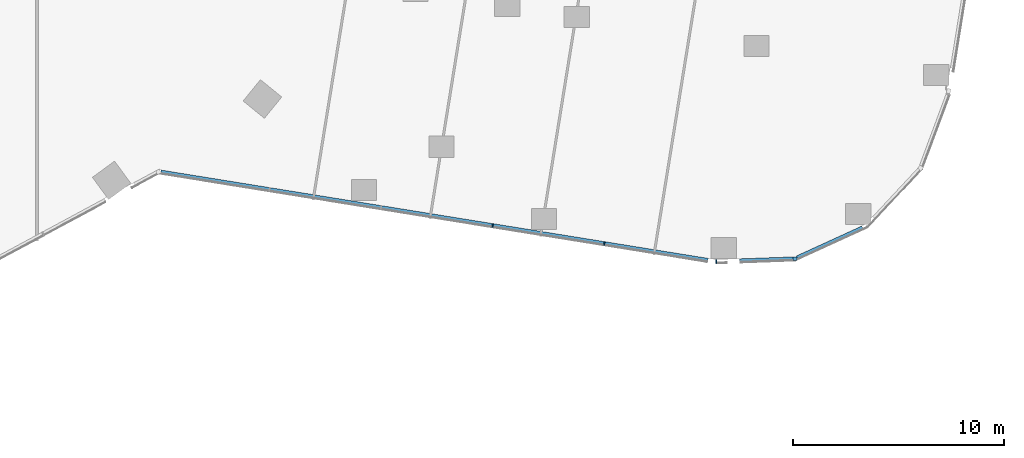
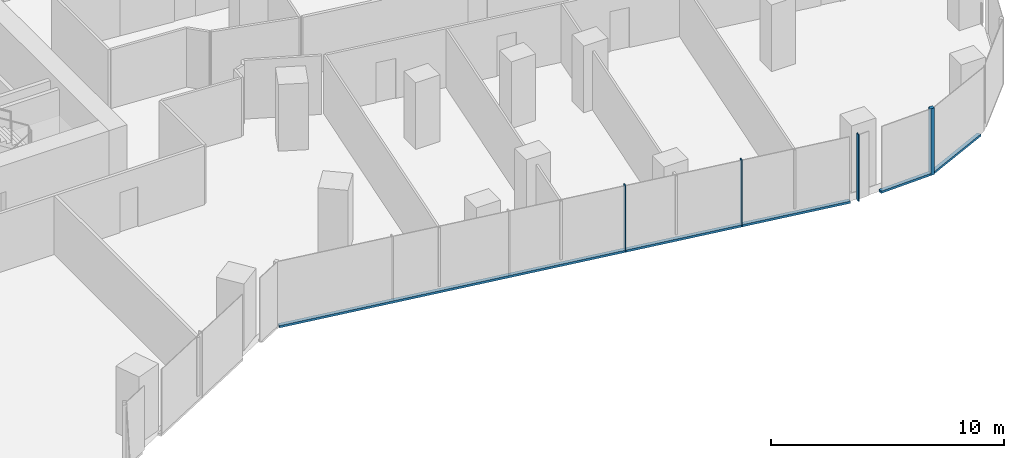
# One storey, part 9 of 34: 7 members, 3 elements without a shape of their own.
"""IFC4 building model written with IfcOpenShell, lengths in metres."""

from ifc_helpers import new_model, si_unit, direction, frame, origin, origin_2d, place, context, subcontext, project, spatial, rectangle, extrude, material, material_profile, profile_set, type_object, element, aggregate, save


model = new_model("IFC4")

# Units and contexts
model_context = context("Model", 3, precision=1e-05, world=origin(), true_north=direction((0.0, 1.0)))
body_context = subcontext(model_context, "Body", "Model", "MODEL_VIEW")
ifc_project = project(units=[si_unit("LENGTHUNIT", "METRE"), si_unit("AREAUNIT", "SQUARE_METRE"), si_unit("VOLUMEUNIT", "CUBIC_METRE"), si_unit("PLANEANGLEUNIT", "RADIAN"), si_unit("MASSUNIT", "GRAM", prefix="KILO")], contexts=[model_context])

# Site, building, storey
site_placement = place(None, origin())
site = spatial("IfcSite", under=ifc_project, at=site_placement, CompositionType="ELEMENT")
building_placement = place(site_placement, origin())
building = spatial("IfcBuilding", under=site, at=building_placement, Name="Orlundy Tower", CompositionType="ELEMENT")
storey_placement = place(building_placement, frame((0.0, 0.0, 130.699951171875)))
storey = spatial("IfcBuildingStorey", under=building, at=storey_placement, Name="L33", CompositionType="ELEMENT", Elevation=130.699951171875)

# Curtain wall, member
ifc_material_1 = material(Name="Aluminium bronze anodised", Category="aluminium")
curtain_wall_type = type_object("IfcCurtainWallType", Name="CW1 wall", PredefinedType="NOTDEFINED", material=ifc_material_1)
curtain_wall_1_placement = place(storey_placement, origin())
curtain_wall_1 = element("IfcCurtainWall", 1, at=curtain_wall_1_placement, inside=storey, type_object=curtain_wall_type, Name="CW1 run 015", PredefinedType="NOTDEFINED")
ifc_material_2 = material(Name="Aluminium bronze anodised", Category="aluminium")
ifc_material_profile_1 = material_profile(ifc_material_2, rectangle(XDim=0.179931640625, YDim=0.179931640625, at=origin_2d()), Name="CW1 corner post 180x180")
ifc_profile_set_1 = profile_set([ifc_material_profile_1], Name="Aluminium bronze anodised")
member_type_1 = type_object("IfcMemberType", Name="CW1 corner post 180x180", PredefinedType="MULLION", material=ifc_profile_set_1)
member_1_placement = place(storey_placement, frame((49.901123046875, -27.664306640625, -0.39990234375), z_axis=(0.0, 0.0, 1.0), x_axis=(0.036413082656, -0.999336823804, 0.0)))
member_1 = element("IfcMember", 2, at=member_1_placement, type_object=member_type_1, Name="CW1 mullion 43", PredefinedType="MULLION", context=body_context, shape_type="SweptSolid", body=[
    extrude(rectangle(XDim=0.179931640625, YDim=0.179931640625, at=origin_2d()), origin(), (0.0, 0.0, 1.0), 3.5),
])

# Curtain wall, members
curtain_wall_2_placement = place(storey_placement, origin())
curtain_wall_2 = element("IfcCurtainWall", 3, at=curtain_wall_2_placement, inside=storey, type_object=curtain_wall_type, Name="CW1 run 016", PredefinedType="NOTDEFINED")
ifc_material_3 = material(Name="Aluminium bronze anodised", Category="aluminium")
ifc_material_profile_2 = material_profile(ifc_material_3, rectangle(XDim=0.179931640625, YDim=0.050048828125, at=origin_2d()), Name="CW1 mullion 50x180")
ifc_profile_set_2 = profile_set([ifc_material_profile_2], Name="Aluminium bronze anodised")
member_type_2 = type_object("IfcMemberType", Name="CW1 mullion 50x180", PredefinedType="MULLION", material=ifc_profile_set_2)
member_2_placement = place(storey_placement, frame((46.16943359375, -27.80029296875, -0.39990234375), z_axis=(0.0, 0.0, 1.0), x_axis=(-0.061746522644, -0.998091862977, 0.0)))
member_2 = element("IfcMember", 4, at=member_2_placement, type_object=member_type_2, Name="CW1 mullion 44", PredefinedType="MULLION", context=body_context, shape_type="SweptSolid", body=[
    extrude(rectangle(XDim=0.179931640625, YDim=0.050048828125, at=origin_2d()), origin(), (0.0, 0.0, 1.0), 3.5),
])
member_3_placement = place(storey_placement, frame((40.872314453125, -26.945556640625, -0.39990234375), z_axis=(0.0, 0.0, 1.0), x_axis=(-0.159311085453, -0.987228432558, 0.0)))
member_3 = element("IfcMember", 5, at=member_3_placement, type_object=member_type_2, Name="CW1 mullion 45", PredefinedType="MULLION", context=body_context, shape_type="SweptSolid", body=[
    extrude(rectangle(XDim=0.179931640625, YDim=0.050048828125, at=origin_2d()), origin(), (0.0, 0.0, 1.0), 3.5),
])
member_4_placement = place(storey_placement, frame((35.583740234375, -26.092041015625, -0.39990234375), z_axis=(0.0, 0.0, 1.0), x_axis=(-0.159311085453, -0.987228432558, 0.0)))
member_4 = element("IfcMember", 6, at=member_4_placement, type_object=member_type_2, Name="CW1 mullion 46", PredefinedType="MULLION", context=body_context, shape_type="SweptSolid", body=[
    extrude(rectangle(XDim=0.179931640625, YDim=0.050048828125, at=origin_2d()), origin(), (0.0, 0.0, 1.0), 3.5),
])

# Curtain wall, member
curtain_wall_3_placement = place(storey_placement, origin())
curtain_wall_3 = element("IfcCurtainWall", 7, at=curtain_wall_3_placement, inside=storey, type_object=curtain_wall_type, Name="CW1 run 014", PredefinedType="NOTDEFINED")
ifc_material_4 = material(Name="Aluminium bronze anodised", Category="aluminium")
ifc_material_profile_3 = material_profile(ifc_material_4, rectangle(XDim=0.179931640625, YDim=0.1201171875, at=origin_2d()), Name="CW1 transom 180x120")
ifc_profile_set_3 = profile_set([ifc_material_profile_3], Name="Aluminium bronze anodised")
member_type_3 = type_object("IfcMemberType", Name="CW1 transom 180x120", PredefinedType="USERDEFINED", material=ifc_profile_set_3)
member_5_placement = place(storey_placement, frame((53.10791015625, -26.197021484375, -0.33984375), z_axis=(-0.909329814914, -0.416076060003, 0.0), x_axis=(0.416076060003, -0.909329814914, 0.0)))
member_5 = element("IfcMember", 8, at=member_5_placement, type_object=member_type_3, Name="CW1 transom", ObjectType="TRANSOM", PredefinedType="USERDEFINED", context=body_context, shape_type="SweptSolid", body=[
    extrude(rectangle(XDim=0.179931640625, YDim=0.1201171875, at=origin_2d()), origin(), (0.0, 0.0, 1.0), 3.42919921875),
])
aggregate(curtain_wall_3, [member_5])

# Member
member_6_placement = place(storey_placement, frame((49.811279296875, -27.66748046875, -0.33984375), z_axis=(-0.999337008749, -0.0364080066, 0.0), x_axis=(0.0364080066, -0.999337008749, 0.0)))
member_6 = element("IfcMember", 9, at=member_6_placement, type_object=member_type_3, Name="CW1 transom", ObjectType="TRANSOM", PredefinedType="USERDEFINED", context=body_context, shape_type="SweptSolid", body=[
    extrude(rectangle(XDim=0.179931640625, YDim=0.1201171875, at=origin_2d()), origin(), (0.0, 0.0, 1.0), 2.528076171875),
])

aggregate(curtain_wall_1, [member_1, member_6])

member_7_placement = place(storey_placement, frame((45.784912109375, -27.73828125, -0.33984375), z_axis=(-0.987227397491, 0.159317499491, 0.0), x_axis=(-0.159317499491, -0.987227397491, 0.0)))
member_7 = element("IfcMember", 10, at=member_7_placement, type_object=member_type_3, Name="CW1 transom", ObjectType="TRANSOM", PredefinedType="USERDEFINED", context=body_context, shape_type="SweptSolid", body=[
    extrude(rectangle(XDim=0.179931640625, YDim=0.1201171875, at=origin_2d()), origin(), (0.0, 0.0, 1.0), 26.259521484375),
])

aggregate(curtain_wall_2, [member_2, member_3, member_4, member_7])

save(model, "model.ifc")
